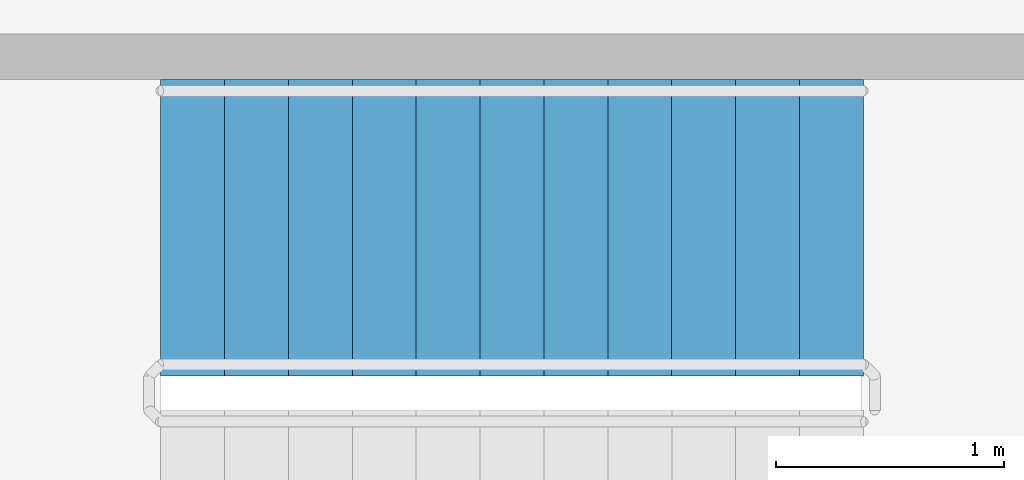
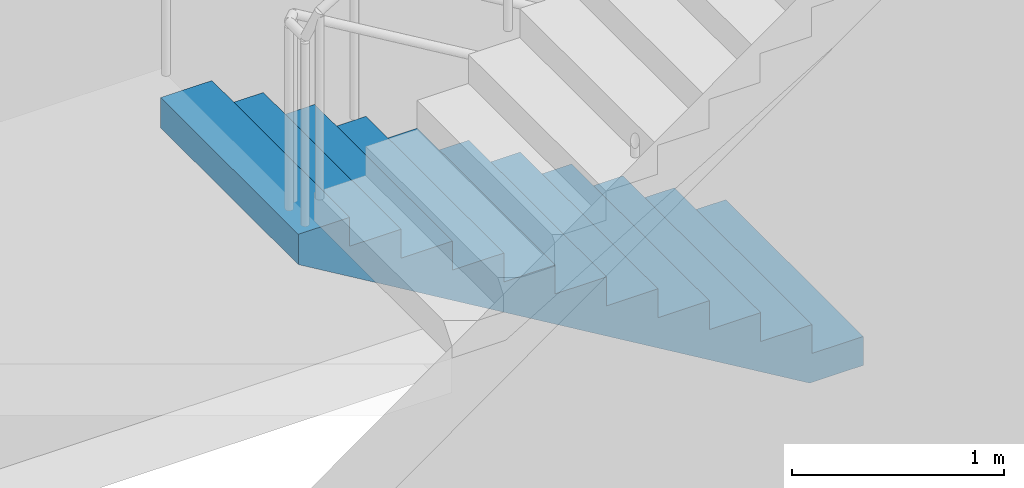
# One storey, part 8 of 9: 1 stair flight, 1 element without a shape of its own.
"""IFC4 building model written with IfcOpenShell, lengths in metres."""

from ifc_helpers import new_model, si_unit, direction, frame, origin, place, context, subcontext, project, spatial, polyline, outline, extrude, material, type_object, element, aggregate, save


model = new_model("IFC4")

# Units and contexts
model_context = context("Model", 3, precision=1e-05, world=origin(), true_north=direction((0.0, 1.0)))
body_context = subcontext(model_context, "Body", "Model", "MODEL_VIEW")
ifc_project = project(units=[si_unit("LENGTHUNIT", "METRE"), si_unit("AREAUNIT", "SQUARE_METRE"), si_unit("VOLUMEUNIT", "CUBIC_METRE"), si_unit("PLANEANGLEUNIT", "RADIAN"), si_unit("MASSUNIT", "GRAM", prefix="KILO")], contexts=[model_context])

# Site, building, storey
site_placement = place(None, origin())
site = spatial("IfcSite", under=ifc_project, at=site_placement, CompositionType="ELEMENT")
building_placement = place(site_placement, origin())
building = spatial("IfcBuilding", under=site, at=building_placement, Name="Corvane Civic Tower", CompositionType="ELEMENT")
storey_placement = place(building_placement, frame((0.0, 0.0, 217.5)))
storey = spatial("IfcBuildingStorey", under=building, at=storey_placement, Name="L51", CompositionType="ELEMENT", Elevation=217.5)

# Stair, stair flight
ifc_material_1 = material(Name="Concrete C40/50", Category="concrete")
stair_type = type_object("IfcStairType", Name="ST-STAIR-HALFTURN", PredefinedType="HALF_TURN_STAIR", material=ifc_material_1)
stair_placement = place(storey_placement, origin())
stair = element("IfcStair", 1, at=stair_placement, inside=storey, type_object=stair_type, Name="L51 Exit stair ST1", PredefinedType="HALF_TURN_STAIR")
ifc_material_2 = material(Name="Concrete C40/50", Category="concrete")
stair_flight_type = type_object("IfcStairFlightType", Name="ST-FLIGHT-RC", PredefinedType="STRAIGHT", material=ifc_material_2)
stair_flight_placement = place(storey_placement, frame((8.89990234375, 9.550048828125, 0.0), z_axis=(0.0, 0.0, 1.0), x_axis=(-1.0, 0.0, 0.0)))
stair_flight = element("IfcStairFlight", 2, at=stair_flight_placement, type_object=stair_flight_type, Name="ST1 flight 1", NumberOfRisers=12, NumberOfTreads=11, PredefinedType="STRAIGHT", RiserHeight=0.166666667, TreadLength=0.28, context=body_context, shape_type="SweptSolid", body=[
    extrude(outline(polyline([(0.0, 0.0), (0.0, 0.166748046875), (0.280029296875, 0.166748046875), (0.280029296875, 0.333251953125), (0.56005859375, 0.333251953125), (0.56005859375, 0.5), (0.840087890625, 0.5), (0.840087890625, 0.666748046875), (1.1201171875, 0.666748046875), (1.1201171875, 0.833251953125), (1.39990234375, 0.833251953125), (1.39990234375, 1.0), (1.679931640625, 1.0), (1.679931640625, 1.166748046875), (1.9599609375, 1.166748046875), (1.9599609375, 1.333251953125), (2.239990234375, 1.333251953125), (2.239990234375, 1.5), (2.52001953125, 1.5), (2.52001953125, 1.666748046875), (2.800048828125, 1.666748046875), (2.800048828125, 1.833251953125), (3.080078125, 1.833251953125), (3.080078125, 2.0), (3.080078125, 1.658935546875), (0.29296875, 0.0), (0.0, 0.0)])), frame((0.0, 0.64990234375, 0.0), z_axis=(0.0, -1.0, 0.0), x_axis=(1.0, 0.0, 0.0)), (0.0, 0.0, 1.0), 1.300048828125),
])
aggregate(stair, [stair_flight])

save(model, "model.ifc")
